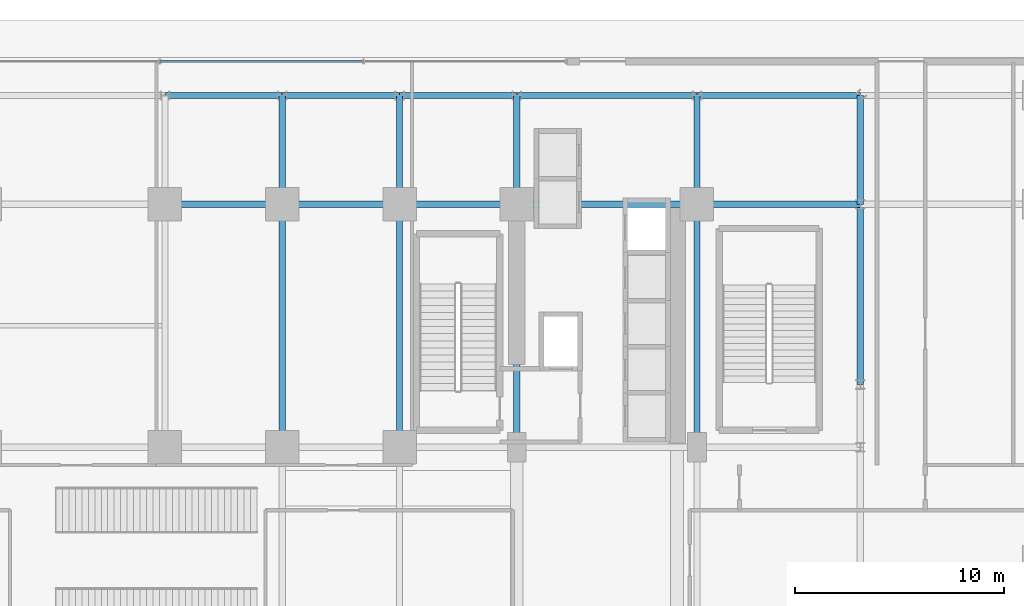
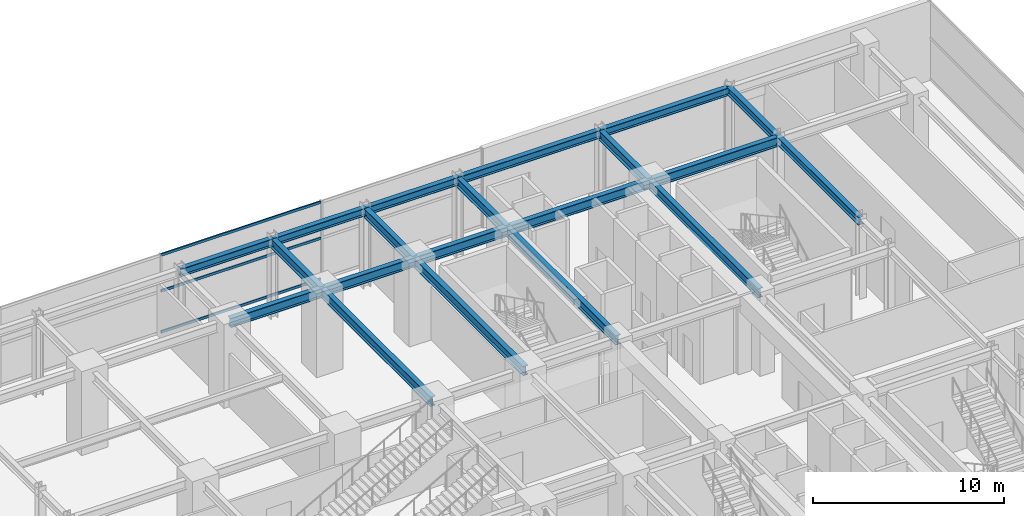
# One storey, part 16 of 29: 20 beams, 3 members, 1 element without a shape of its own.
"""IFC4 building model written with IfcOpenShell, lengths in metres."""

from ifc_helpers import new_model, si_unit, direction, frame, origin, origin_2d, place, context, subcontext, project, spatial, hollow_rectangle, i_section, extrude, source, transform, mapped, material, material_profile, profile_set, type_object, element, aggregate, save


model = new_model("IFC4")

# Units and contexts
model_context = context("Model", 3, precision=1e-05, world=origin(), true_north=direction((0.0, 1.0)))
body_context = subcontext(model_context, "Body", "Model", "MODEL_VIEW")
ifc_project = project(units=[si_unit("LENGTHUNIT", "METRE"), si_unit("AREAUNIT", "SQUARE_METRE"), si_unit("VOLUMEUNIT", "CUBIC_METRE"), si_unit("PLANEANGLEUNIT", "RADIAN"), si_unit("MASSUNIT", "GRAM", prefix="KILO")], contexts=[model_context])

# Site, building, storey
site_placement = place(None, origin())
site = spatial("IfcSite", under=ifc_project, at=site_placement, CompositionType="ELEMENT")
building_placement = place(site_placement, origin())
building = spatial("IfcBuilding", under=site, at=building_placement, Name="Nahalor Promenade Grand Hotel", CompositionType="ELEMENT")
storey_placement = place(building_placement, origin())
storey = spatial("IfcBuildingStorey", under=building, at=storey_placement, Name="L00", CompositionType="ELEMENT", Elevation=0.0)

# Beams
ifc_material_1 = material(Name="Steel S355JR", Category="steel")
ifc_material_profile_1 = material_profile(ifc_material_1, i_section(OverallWidth=0.3, OverallDepth=0.6, WebThickness=0.0155, FlangeThickness=0.03, at=origin_2d()), Name="HEB 600")
ifc_profile_set_1 = profile_set([ifc_material_profile_1], Name="Steel S355JR")
beam_type_1 = type_object("IfcBeamType", Name="Beam-Girder-HEB600", PredefinedType="BEAM", material=ifc_profile_set_1)
shared_shape_1 = source(origin(), body_context, "Body", "SweptSolid", [
    extrude(i_section(OverallWidth=0.3, OverallDepth=0.6, WebThickness=0.0155, FlangeThickness=0.03, at=origin_2d()), origin(), (0.0, 0.0, 1.0), 7.800048828125),
])
beam_1_placement = place(storey_placement, frame((17.0, 17.0, 4.780029296875), z_axis=(1.0, 0.0, 0.0), x_axis=(0.0, 1.0, 0.0)))
element("IfcBeam", 1, at=beam_1_placement, inside=storey, type_object=beam_type_1, Name="BM-L00-GX-3-7", PredefinedType="BEAM", context=body_context, shape_type="MappedRepresentation", body=[
    mapped(shared_shape_1, transform((0.0, 0.0, 0.0), scale=1.0)),
])
shared_shape_2 = source(origin(), body_context, "Body", "SweptSolid", [
    extrude(i_section(OverallWidth=0.3, OverallDepth=0.6, WebThickness=0.0155, FlangeThickness=0.03, at=origin_2d()), origin(), (0.0, 0.0, 1.0), 8.60009765625),
])
beam_2_placement = place(storey_placement, frame((8.39990234375, 17.0, 4.780029296875), z_axis=(1.0, 0.0, 0.0), x_axis=(0.0, 1.0, 0.0)))
element("IfcBeam", 2, at=beam_2_placement, inside=storey, type_object=beam_type_1, Name="BM-L00-GX-3-6", PredefinedType="BEAM", context=body_context, shape_type="MappedRepresentation", body=[
    mapped(shared_shape_2, transform((0.0, 0.0, 0.0), scale=1.0)),
])
shared_shape_3 = source(origin(), body_context, "Body", "SweptSolid", [
    extrude(i_section(OverallWidth=0.3, OverallDepth=0.6, WebThickness=0.0155, FlangeThickness=0.03, at=origin_2d()), origin(), (0.0, 0.0, 1.0), 5.599853515625),
])
for number, where, z_axis, x_axis, name in (
    (3, (-8.39990234375, 17.0, 4.780029296875), (1.0, 0.0, 0.0), (0.0, 1.0, 0.0), "BM-L00-GX-3-3"),
    (4, (2.800048828125, 17.0, 4.780029296875), (1.0, 0.0, 0.0), (0.0, 1.0, 0.0), "BM-L00-GX-3-5"),
):
    element("IfcBeam", number, at=place(storey_placement, frame(where, z_axis=z_axis, x_axis=x_axis)), inside=storey, type_object=beam_type_1, Name=name, PredefinedType="BEAM", context=body_context, shape_type="MappedRepresentation", body=[
        mapped(shared_shape_3, transform((0.0, 0.0, 0.0), scale=1.0)),
    ])
shared_shape_4 = source(origin(), body_context, "Body", "SweptSolid", [
    extrude(i_section(OverallWidth=0.3, OverallDepth=0.6, WebThickness=0.0155, FlangeThickness=0.03, at=origin_2d()), origin(), (0.0, 0.0, 1.0), 5.60009765625),
])
beam_3_placement = place(storey_placement, frame((-2.800048828125, 17.0, 4.780029296875), z_axis=(1.0, 0.0, 0.0), x_axis=(0.0, 1.0, 0.0)))
element("IfcBeam", 5, at=beam_3_placement, inside=storey, type_object=beam_type_1, Name="BM-L00-GX-3-4", PredefinedType="BEAM", context=body_context, shape_type="MappedRepresentation", body=[
    mapped(shared_shape_4, transform((0.0, 0.0, 0.0), scale=1.0)),
])
shared_shape_5 = source(origin(), body_context, "Body", "SweptSolid", [
    extrude(i_section(OverallWidth=0.3, OverallDepth=0.6, WebThickness=0.0155, FlangeThickness=0.03, at=origin_2d()), origin(), (0.0, 0.0, 1.0), 5.199951171875),
])
for number, where, z_axis, x_axis, name in (
    (6, (-2.800048828125, 17.0, 4.780029296875), (0.0, 1.0, 0.0), (-1.0, 0.0, 0.0), "BM-L00-GY-2-4"),
    (7, (2.800048828125, 17.0, 4.780029296875), (0.0, 1.0, 0.0), (-1.0, 0.0, 0.0), "BM-L00-GY-3-4"),
    (8, (8.39990234375, 17.0, 4.780029296875), (0.0, 1.0, 0.0), (-1.0, 0.0, 0.0), "BM-L00-GY-4-4"),
    (9, (17.0, 17.0, 4.780029296875), (0.0, 1.0, 0.0), (-1.0, 0.0, 0.0), "BM-L00-GY-5-4"),
):
    element("IfcBeam", number, at=place(storey_placement, frame(where, z_axis=z_axis, x_axis=x_axis)), inside=storey, type_object=beam_type_1, Name=name, PredefinedType="BEAM", context=body_context, shape_type="MappedRepresentation", body=[
        mapped(shared_shape_5, transform((0.0, 0.0, 0.0), scale=1.0)),
    ])
shared_shape_6 = source(origin(), body_context, "Body", "SweptSolid", [
    extrude(i_section(OverallWidth=0.3, OverallDepth=0.6, WebThickness=0.0155, FlangeThickness=0.03, at=origin_2d()), origin(), (0.0, 0.0, 1.0), 11.60009765625),
])
for number, where, z_axis, x_axis, name in (
    (10, (-2.800048828125, 5.39990234375, 4.780029296875), (0.0, 1.0, 0.0), (-1.0, 0.0, 0.0), "BM-L00-GY-2-3"),
    (11, (2.800048828125, 5.39990234375, 4.780029296875), (0.0, 1.0, 0.0), (-1.0, 0.0, 0.0), "BM-L00-GY-3-3"),
    (12, (8.39990234375, 5.39990234375, 4.780029296875), (0.0, 1.0, 0.0), (-1.0, 0.0, 0.0), "BM-L00-GY-4-3"),
    (13, (17.0, 5.39990234375, 4.780029296875), (0.0, 1.0, 0.0), (-1.0, 0.0, 0.0), "BM-L00-GY-5-3"),
):
    element("IfcBeam", number, at=place(storey_placement, frame(where, z_axis=z_axis, x_axis=x_axis)), inside=storey, type_object=beam_type_1, Name=name, PredefinedType="BEAM", context=body_context, shape_type="MappedRepresentation", body=[
        mapped(shared_shape_6, transform((0.0, 0.0, 0.0), scale=1.0)),
    ])
ifc_material_profile_2 = material_profile(ifc_material_1, i_section(OverallWidth=0.3, OverallDepth=0.5, WebThickness=0.0145, FlangeThickness=0.028, at=origin_2d()), Name="HEB 500")
ifc_profile_set_2 = profile_set([ifc_material_profile_2], Name="Steel S355JR")
beam_type_2 = type_object("IfcBeamType", Name="Beam-Spandrel-HEB500", PredefinedType="SPANDREL", material=ifc_profile_set_2)
shared_shape_7 = source(origin(), body_context, "Body", "SweptSolid", [
    extrude(i_section(OverallWidth=0.3, OverallDepth=0.5, WebThickness=0.0145, FlangeThickness=0.028, at=origin_2d()), origin(), (0.0, 0.0, 1.0), 8.60009765625),
])
for number, where, z_axis, x_axis, name in (
    (14, (8.39990234375, 22.199951171875, 4.830078125), (1.0, 0.0, 0.0), (0.0, 1.0, 0.0), "BM-L00-SP-N-4"),
    (15, (24.800048828125, 8.39990234375, 4.830078125), (0.0, 1.0, 0.0), (-1.0, 0.0, 0.0), "BM-L00-SP-E-4"),
):
    element("IfcBeam", number, at=place(storey_placement, frame(where, z_axis=z_axis, x_axis=x_axis)), inside=storey, type_object=beam_type_2, Name=name, PredefinedType="SPANDREL", context=body_context, shape_type="MappedRepresentation", body=[
        mapped(shared_shape_7, transform((0.0, 0.0, 0.0), scale=1.0)),
    ])
shared_shape_8 = source(origin(), body_context, "Body", "SweptSolid", [
    extrude(i_section(OverallWidth=0.3, OverallDepth=0.5, WebThickness=0.0145, FlangeThickness=0.028, at=origin_2d()), origin(), (0.0, 0.0, 1.0), 5.599853515625),
])
for number, where, z_axis, x_axis, name in (
    (16, (-8.39990234375, 22.199951171875, 4.830078125), (1.0, 0.0, 0.0), (0.0, 1.0, 0.0), "BM-L00-SP-N-1"),
    (17, (2.800048828125, 22.199951171875, 4.830078125), (1.0, 0.0, 0.0), (0.0, 1.0, 0.0), "BM-L00-SP-N-3"),
):
    element("IfcBeam", number, at=place(storey_placement, frame(where, z_axis=z_axis, x_axis=x_axis)), inside=storey, type_object=beam_type_2, Name=name, PredefinedType="SPANDREL", context=body_context, shape_type="MappedRepresentation", body=[
        mapped(shared_shape_8, transform((0.0, 0.0, 0.0), scale=1.0)),
    ])
shared_shape_9 = source(origin(), body_context, "Body", "SweptSolid", [
    extrude(i_section(OverallWidth=0.3, OverallDepth=0.5, WebThickness=0.0145, FlangeThickness=0.028, at=origin_2d()), origin(), (0.0, 0.0, 1.0), 5.60009765625),
])
beam_4_placement = place(storey_placement, frame((-2.800048828125, 22.199951171875, 4.830078125), z_axis=(1.0, 0.0, 0.0), x_axis=(0.0, 1.0, 0.0)))
element("IfcBeam", 18, at=beam_4_placement, inside=storey, type_object=beam_type_2, Name="BM-L00-SP-N-2", PredefinedType="SPANDREL", context=body_context, shape_type="MappedRepresentation", body=[
    mapped(shared_shape_9, transform((0.0, 0.0, 0.0), scale=1.0)),
])
shared_shape_10 = source(origin(), body_context, "Body", "SweptSolid", [
    extrude(i_section(OverallWidth=0.3, OverallDepth=0.5, WebThickness=0.0145, FlangeThickness=0.028, at=origin_2d()), origin(), (0.0, 0.0, 1.0), 7.800048828125),
])
beam_5_placement = place(storey_placement, frame((17.0, 22.199951171875, 4.830078125), z_axis=(1.0, 0.0, 0.0), x_axis=(0.0, 1.0, 0.0)))
element("IfcBeam", 19, at=beam_5_placement, inside=storey, type_object=beam_type_2, Name="BM-L00-SPC-NE-1", PredefinedType="SPANDREL", context=body_context, shape_type="MappedRepresentation", body=[
    mapped(shared_shape_10, transform((0.0, 0.0, 0.0), scale=1.0)),
])
shared_shape_11 = source(origin(), body_context, "Body", "SweptSolid", [
    extrude(i_section(OverallWidth=0.3, OverallDepth=0.5, WebThickness=0.0145, FlangeThickness=0.028, at=origin_2d()), origin(), (0.0, 0.0, 1.0), 5.199951171875),
])
beam_6_placement = place(storey_placement, frame((24.800048828125, 22.199951171875, 4.830078125), z_axis=(0.0, -1.0, 0.0), x_axis=(1.0, 0.0, 0.0)))
element("IfcBeam", 20, at=beam_6_placement, inside=storey, type_object=beam_type_2, Name="BM-L00-SPC-NE-2", PredefinedType="SPANDREL", context=body_context, shape_type="MappedRepresentation", body=[
    mapped(shared_shape_11, transform((0.0, 0.0, 0.0), scale=1.0)),
])

# Curtain wall, members
ifc_material_2 = material(Name="Anodised Bronze Aluminium EN AW-6063 T6", Category="aluminium")
curtain_wall_type = type_object("IfcCurtainWallType", Name="CW1 Waterfront Podium Bronze Arcade Curtain Wall", PredefinedType="USERDEFINED", material=ifc_material_2)
curtain_wall_placement = place(storey_placement, origin())
curtain_wall = element("IfcCurtainWall", 21, at=curtain_wall_placement, inside=storey, type_object=curtain_wall_type, Name="L00 Curtain Wall CW-L00-N-MID", ObjectType="UNITISED_CURTAIN_WALL", PredefinedType="USERDEFINED")
ifc_material_profile_3 = material_profile(ifc_material_2, hollow_rectangle(XDim=0.08, YDim=0.16, WallThickness=0.004, at=origin_2d()), Name="CWT 80x160x4")
ifc_profile_set_3 = profile_set([ifc_material_profile_3], Name="Anodised Bronze Aluminium EN AW-6063 T6")
member_type = type_object("IfcMemberType", Name="CWT1 Podium Bronze Transom 80x160", PredefinedType="USERDEFINED", material=ifc_profile_set_3)
shared_shape_12 = source(origin(), body_context, "Body", "SweptSolid", [
    extrude(hollow_rectangle(XDim=0.08, YDim=0.16, WallThickness=0.004, at=origin_2d()), origin(), (0.0, 0.0, 1.0), 9.643798828125),
])
member_1_placement = place(storey_placement, frame((-8.60791015625, 23.820068359375, 0.080078125), z_axis=(1.0, 0.0, 0.0), x_axis=(0.0, 1.0, 0.0)))
member_1 = element("IfcMember", 22, at=member_1_placement, type_object=member_type, Name="CW-L00-N-MID Transom 3-0", ObjectType="TRANSOM", PredefinedType="USERDEFINED", context=body_context, shape_type="MappedRepresentation", body=[
    mapped(shared_shape_12, transform((0.0, 0.0, 0.0), scale=1.0)),
])
member_2_placement = place(storey_placement, frame((-8.60791015625, 23.820068359375, 2.699951171875), z_axis=(1.0, 0.0, 0.0), x_axis=(0.0, 1.0, 0.0)))
member_2 = element("IfcMember", 23, at=member_2_placement, type_object=member_type, Name="CW-L00-N-MID Transom 3-1", ObjectType="TRANSOM", PredefinedType="USERDEFINED", context=body_context, shape_type="MappedRepresentation", body=[
    mapped(shared_shape_12, transform((0.0, 0.0, 0.0), scale=1.0)),
])
member_3_placement = place(storey_placement, frame((-8.60791015625, 23.820068359375, 5.0), z_axis=(1.0, 0.0, 0.0), x_axis=(0.0, 1.0, 0.0)))
member_3 = element("IfcMember", 24, at=member_3_placement, type_object=member_type, Name="CW-L00-N-MID Transom 3-2", ObjectType="TRANSOM", PredefinedType="USERDEFINED", context=body_context, shape_type="MappedRepresentation", body=[
    mapped(shared_shape_12, transform((0.0, 0.0, 0.0), scale=1.0)),
])
aggregate(curtain_wall, [member_1, member_2, member_3])

save(model, "model.ifc")
